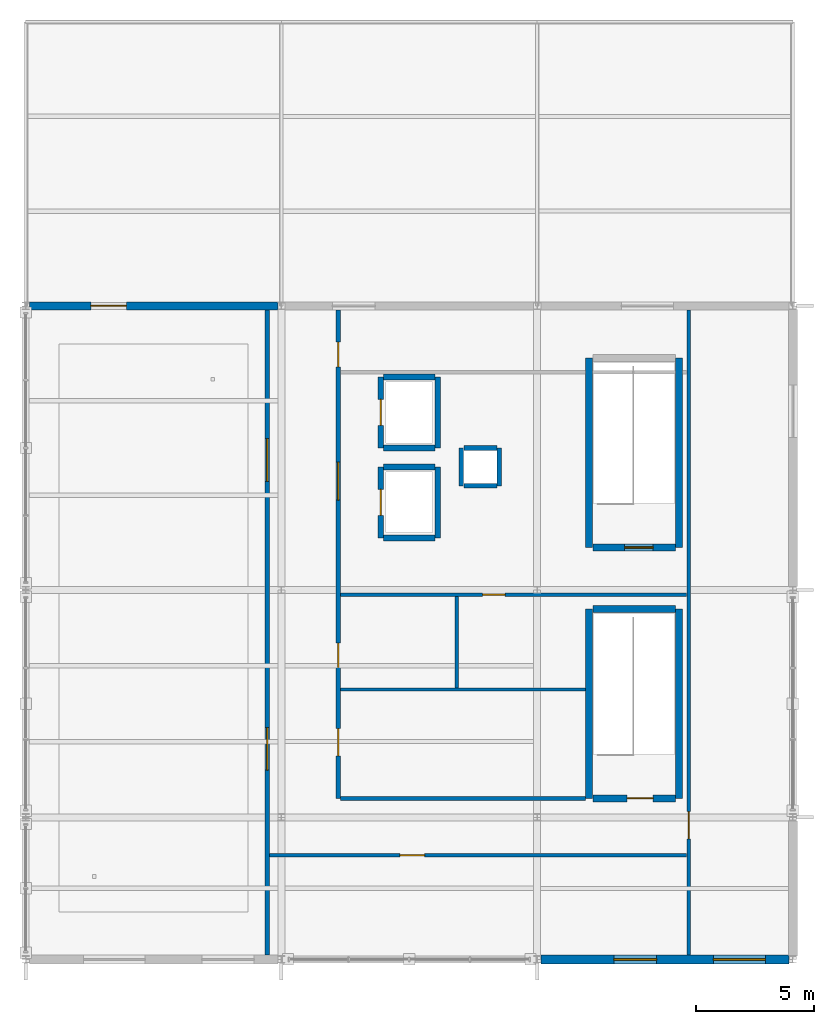
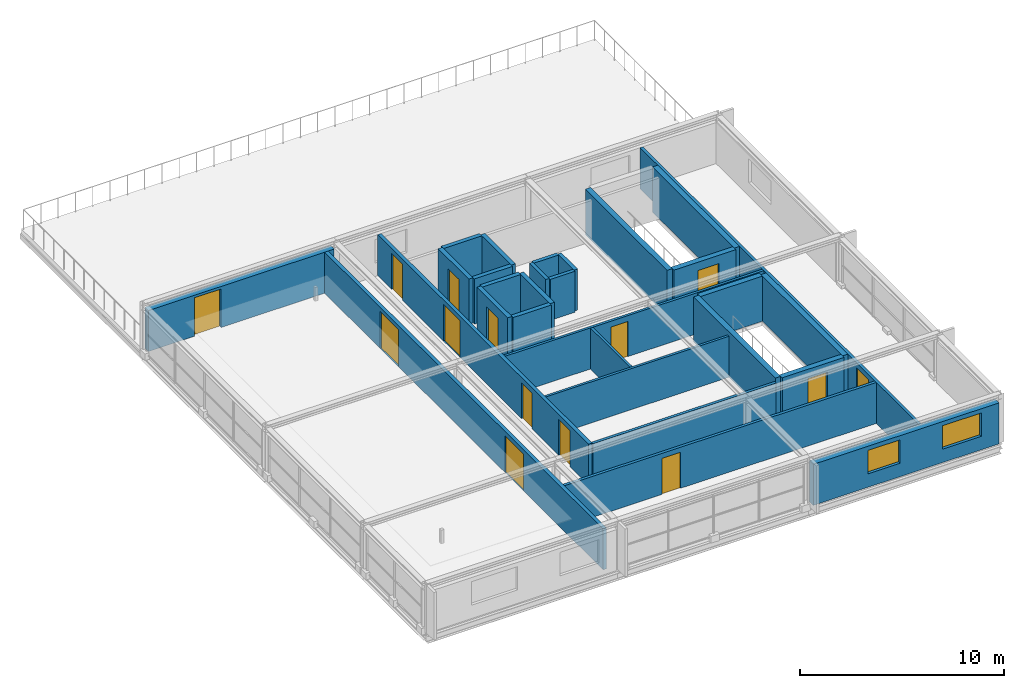
# One storey, part 12 of 14: 29 walls, 14 doors, 2 windows, 16 openings.
"""IFC4 building model written with IfcOpenShell, lengths in metres."""

from ifc_helpers import new_model, si_unit, direction, frame, frame_2d, origin, place, context, subcontext, project, spatial, rectangle, extrude, material, layer, layer_set, type_object, element, fill, save


model = new_model("IFC4")

# Units and contexts
model_context = context("Model", 3, precision=1e-05, world=origin(), true_north=direction((0.0, 1.0)))
body_context = subcontext(model_context, "Body", "Model", "MODEL_VIEW")
ifc_project = project(units=[si_unit("LENGTHUNIT", "METRE"), si_unit("AREAUNIT", "SQUARE_METRE"), si_unit("VOLUMEUNIT", "CUBIC_METRE"), si_unit("PLANEANGLEUNIT", "RADIAN"), si_unit("MASSUNIT", "GRAM", prefix="KILO")], contexts=[model_context])

# Site, building, storey
site_placement = place(None, origin())
site = spatial("IfcSite", under=ifc_project, at=site_placement, CompositionType="ELEMENT")
building_placement = place(site_placement, origin())
building = spatial("IfcBuilding", under=site, at=building_placement, Name="Merenkruunu Market Hall", CompositionType="ELEMENT")
storey_placement = place(building_placement, frame((0.0, 0.0, 18.60009765625)))
storey = spatial("IfcBuildingStorey", under=building, at=storey_placement, Name="L04", CompositionType="ELEMENT", Elevation=18.60009765625)

# Wall, openings, windows
ifc_material_1 = material(Name="Precast concrete C40/50", Category="concrete")
ifc_layer_1 = layer(ifc_material_1, 0.3798828125)
ifc_layer_set_1 = layer_set([ifc_layer_1], Name="Precast concrete C40/50")
wall_type_1 = type_object("IfcWallType", Name="Exterior Envelope Wall EW02", PredefinedType="STANDARD", material=ifc_layer_set_1)
wall_1_placement = place(storey_placement, frame((191.845947265625, 0.0, 0.0), z_axis=(0.0, 0.0, 1.0), x_axis=(-1.0, 0.0, 0.0)))
wall_1 = element("IfcWall", 1, at=wall_1_placement, inside=storey, type_object=wall_type_1, Name="WALL-EXT-L04-0107", PredefinedType="STANDARD", context=body_context, shape_type="SweptSolid", body=[
    extrude(rectangle(XDim=10.491943359375, YDim=0.3798828125, at=frame_2d((5.24609375, 0.0))), origin(), (0.0, 0.0, 1.0), 2.449951171875),
])
opening_1_placement = place(wall_1_placement, frame((1.0, 0.0, 0.800048828125)))
opening_1 = element("IfcOpeningElement", 2, at=opening_1_placement, cuts=wall_1, Name="Opening WN15", PredefinedType="OPENING", context=body_context, shape_type="SweptSolid", body=[
    extrude(rectangle(XDim=2.199951171875, YDim=1.39990234375, at=frame_2d((1.10009765625, 0.699951171875))), frame((0.0, 0.199951171875, 0.0), z_axis=(0.0, -1.0, 0.0), x_axis=(1.0, 0.0, 0.0)), (0.0, 0.0, 1.0), 0.39990234375),
])
opening_2_placement = place(wall_1_placement, frame((5.60009765625, 0.0, 0.800048828125)))
opening_2 = element("IfcOpeningElement", 3, at=opening_2_placement, cuts=wall_1, Name="Opening WN14", PredefinedType="OPENING", context=body_context, shape_type="SweptSolid", body=[
    extrude(rectangle(XDim=1.800048828125, YDim=1.39990234375, at=frame_2d((0.89990234375, 0.699951171875))), frame((0.0, 0.199951171875, 0.0), z_axis=(0.0, -1.0, 0.0), x_axis=(1.0, 0.0, 0.0)), (0.0, 0.0, 1.0), 0.39990234375),
])
ifc_material_2 = material(Name="Triple low-E insulated glass", Category="glass")
ifc_layer_2 = layer(ifc_material_2, 0.06005859375)
ifc_layer_set_2 = layer_set([ifc_layer_2], Name="Triple low-E insulated glass")
window_type_1 = type_object("IfcWindowType", Name="Exterior Window WN14", PartitioningType="SINGLE_PANEL", PredefinedType="WINDOW", material=ifc_layer_set_2)
window_1_placement = place(opening_2_placement, origin())
window_1 = element("IfcWindow", 4, at=window_1_placement, inside=storey, type_object=window_type_1, Name="WIN-L04-0063", OverallHeight=1.39990234375, OverallWidth=1.800048828125, PartitioningType="SINGLE_PANEL", PredefinedType="WINDOW", context=body_context, shape_type="SweptSolid", body=[
    extrude(rectangle(XDim=1.800048828125, YDim=1.39990234375, at=frame_2d((0.89990234375, 0.699951171875))), frame((0.0, 0.030029296875, 0.0), z_axis=(0.0, -1.0, 0.0), x_axis=(1.0, 0.0, 0.0)), (0.0, 0.0, 1.0), 0.06005859375),
])
fill(opening_2, window_1)
ifc_layer_3 = layer(ifc_material_2, 0.06005859375)
ifc_layer_set_3 = layer_set([ifc_layer_3], Name="Triple low-E insulated glass")
window_type_2 = type_object("IfcWindowType", Name="Exterior Window WN15", PartitioningType="SINGLE_PANEL", PredefinedType="WINDOW", material=ifc_layer_set_3)
window_2_placement = place(opening_1_placement, origin())
window_2 = element("IfcWindow", 5, at=window_2_placement, inside=storey, type_object=window_type_2, Name="WIN-L04-0062", OverallHeight=1.39990234375, OverallWidth=2.199951171875, PartitioningType="SINGLE_PANEL", PredefinedType="WINDOW", context=body_context, shape_type="SweptSolid", body=[
    extrude(rectangle(XDim=2.199951171875, YDim=1.39990234375, at=frame_2d((1.10009765625, 0.699951171875))), frame((0.0, 0.030029296875, 0.0), z_axis=(0.0, -1.0, 0.0), x_axis=(1.0, 0.0, 0.0)), (0.0, 0.0, 1.0), 0.06005859375),
])
fill(opening_1, window_2)

# Wall, opening, door
ifc_layer_4 = layer(ifc_material_1, 0.340087890625)
ifc_layer_set_4 = layer_set([ifc_layer_4], Name="Precast concrete C40/50")
wall_type_2 = type_object("IfcWallType", Name="Exterior Envelope Wall EW03", PredefinedType="STANDARD", material=ifc_layer_set_4)
wall_2_placement = place(storey_placement, frame((159.75390625, 27.60009765625, 0.0), z_axis=(0.0, 0.0, 1.0), x_axis=(1.0, 0.0, 0.0)))
wall_2 = element("IfcWall", 6, at=wall_2_placement, inside=storey, type_object=wall_type_2, Name="WALL-EXT-L04-0110", PredefinedType="STANDARD", context=body_context, shape_type="SweptSolid", body=[
    extrude(rectangle(XDim=10.4921875, YDim=0.340087890625, at=frame_2d((5.24609375, 0.0))), origin(), (0.0, 0.0, 1.0), 2.449951171875),
])
opening_3_placement = place(wall_2_placement, frame((2.60009765625, 0.0, 0.0)))
opening_3 = element("IfcOpeningElement", 7, at=opening_3_placement, cuts=wall_2, Name="Opening TD02", PredefinedType="OPENING", context=body_context, shape_type="SweptSolid", body=[
    extrude(rectangle(XDim=1.5, YDim=2.300048828125, at=frame_2d((0.75, 1.14990234375))), frame((0.0, 0.18017578125, 0.0), z_axis=(0.0, -1.0, 0.0), x_axis=(1.0, 0.0, 0.0)), (0.0, 0.0, 1.0), 0.360107421875),
])
ifc_material_3 = material(Name="Powder-coated aluminium", Category="aluminium")
door_type_1 = type_object("IfcDoorType", Name="Terrace Glazed Door TD02", OperationType="NOTDEFINED", PredefinedType="DOOR", material=ifc_material_3)
door_1_placement = place(opening_3_placement, origin())
door_1 = element("IfcDoor", 8, at=door_1_placement, inside=storey, type_object=door_type_1, Name="TD-L04-N1", OperationType="DOUBLE_DOOR_SINGLE_SWING", OverallHeight=2.300048828125, OverallWidth=1.5, PredefinedType="DOOR", context=body_context, shape_type="SweptSolid", body=[
    extrude(rectangle(XDim=1.5, YDim=2.300048828125, at=frame_2d((0.75, 1.14990234375))), frame((0.0, 0.02490234375, 0.0), z_axis=(0.0, -1.0, 0.0), x_axis=(1.0, 0.0, 0.0)), (0.0, 0.0, 1.0), 0.050048828125),
])
fill(opening_3, door_1)

# Wall, openings, doors
ifc_material_4 = material(Name="Gypsum fire compartment board")
ifc_layer_5 = layer(ifc_material_4, 0.199951171875)
ifc_layer_set_5 = layer_set([ifc_layer_5], Name="Gypsum fire compartment board")
wall_type_3 = type_object("IfcWallType", Name="Interior Partition Wall FW02", PredefinedType="PARTITIONING", material=ifc_layer_set_5)
wall_3_placement = place(storey_placement, frame((169.800048828125, 0.19189453125, 0.0), z_axis=(0.0, 0.0, 1.0), x_axis=(0.0, 1.0, 0.0)))
wall_3 = element("IfcWall", 9, at=wall_3_placement, inside=storey, type_object=wall_type_3, Name="WALL-INT-L04-0098", PredefinedType="PARTITIONING", context=body_context, shape_type="SweptSolid", body=[
    extrude(rectangle(XDim=27.236083984375, YDim=0.199951171875, at=frame_2d((13.6181640625, 0.0))), origin(), (0.0, 0.0, 1.0), 2.449951171875),
])
opening_4_placement = place(wall_3_placement, frame((7.800048828125, 0.0, 0.0)))
opening_4 = element("IfcOpeningElement", 10, at=opening_4_placement, cuts=wall_3, Name="Opening FD06", PredefinedType="OPENING", context=body_context, shape_type="SweptSolid", body=[
    extrude(rectangle(XDim=1.800048828125, YDim=2.199951171875, at=frame_2d((0.89990234375, 1.10009765625))), frame((0.0, 0.10986328125, 0.0), z_axis=(0.0, -1.0, 0.0), x_axis=(1.0, 0.0, 0.0)), (0.0, 0.0, 1.0), 0.219970703125),
])
opening_5_placement = place(wall_3_placement, frame((20.0, 0.0, 0.0)))
opening_5 = element("IfcOpeningElement", 11, at=opening_5_placement, cuts=wall_3, Name="Opening FD06", PredefinedType="OPENING", context=body_context, shape_type="SweptSolid", body=[
    extrude(rectangle(XDim=1.800048828125, YDim=2.199951171875, at=frame_2d((0.89990234375, 1.10009765625))), frame((0.0, 0.10986328125, 0.0), z_axis=(0.0, -1.0, 0.0), x_axis=(1.0, 0.0, 0.0)), (0.0, 0.0, 1.0), 0.219970703125),
])
door_type_2 = type_object("IfcDoorType", Name="Fire Compartment Door FD06", OperationType="NOTDEFINED", PredefinedType="DOOR", material=ifc_material_3)
door_2_placement = place(opening_4_placement, origin())
door_2 = element("IfcDoor", 12, at=door_2_placement, inside=storey, type_object=door_type_2, Name="DR-L04-090", OperationType="SINGLE_SWING_RIGHT", OverallHeight=2.199951171875, OverallWidth=1.800048828125, PredefinedType="DOOR", context=body_context, shape_type="SweptSolid", body=[
    extrude(rectangle(XDim=1.800048828125, YDim=2.199951171875, at=frame_2d((0.89990234375, 1.10009765625))), frame((0.0, 0.02490234375, 0.0), z_axis=(0.0, -1.0, 0.0), x_axis=(1.0, 0.0, 0.0)), (0.0, 0.0, 1.0), 0.050048828125),
])
fill(opening_4, door_2)
door_3_placement = place(opening_5_placement, origin())
door_3 = element("IfcDoor", 13, at=door_3_placement, inside=storey, type_object=door_type_2, Name="DR-L04-091", OperationType="SINGLE_SWING_LEFT", OverallHeight=2.199951171875, OverallWidth=1.800048828125, PredefinedType="DOOR", context=body_context, shape_type="SweptSolid", body=[
    extrude(rectangle(XDim=1.800048828125, YDim=2.199951171875, at=frame_2d((0.89990234375, 1.10009765625))), frame((0.0, 0.02490234375, 0.0), z_axis=(0.0, -1.0, 0.0), x_axis=(1.0, 0.0, 0.0)), (0.0, 0.0, 1.0), 0.050048828125),
])
fill(opening_5, door_3)

wall_4_placement = place(storey_placement, frame((172.800048828125, 6.800048828125, 0.0), z_axis=(0.0, 0.0, 1.0), x_axis=(0.0, 1.0, 0.0)))
wall_4 = element("IfcWall", 14, at=wall_4_placement, inside=storey, type_object=wall_type_3, Name="WALL-INT-L04-0101", PredefinedType="PARTITIONING", context=body_context, shape_type="SweptSolid", body=[
    extrude(rectangle(XDim=20.6279296875, YDim=0.199951171875, at=frame_2d((10.31396484375, 0.0))), origin(), (0.0, 0.0, 1.0), 2.449951171875),
])
opening_6_placement = place(wall_4_placement, frame((1.800048828125, 0.0, 0.0)))
opening_6 = element("IfcOpeningElement", 15, at=opening_6_placement, cuts=wall_4, Name="Opening D04", PredefinedType="OPENING", context=body_context, shape_type="SweptSolid", body=[
    extrude(rectangle(XDim=1.14990234375, YDim=2.14990234375, at=frame_2d((0.574951171875, 1.074951171875))), frame((0.0, 0.10986328125, 0.0), z_axis=(0.0, -1.0, 0.0), x_axis=(1.0, 0.0, 0.0)), (0.0, 0.0, 1.0), 0.219970703125),
])
opening_7_placement = place(wall_4_placement, frame((5.532958984375, 0.0, 0.0)))
opening_7 = element("IfcOpeningElement", 16, at=opening_7_placement, cuts=wall_4, Name="Opening D08", PredefinedType="OPENING", context=body_context, shape_type="SweptSolid", body=[
    extrude(rectangle(XDim=1.02001953125, YDim=2.1201171875, at=frame_2d((0.510009765625, 1.06005859375))), frame((0.0, 0.10986328125, 0.0), z_axis=(0.0, -1.0, 0.0), x_axis=(1.0, 0.0, 0.0)), (0.0, 0.0, 1.0), 0.219970703125),
])
opening_8_placement = place(wall_4_placement, frame((12.60009765625, 0.0, 0.0)))
opening_8 = element("IfcOpeningElement", 17, at=opening_8_placement, cuts=wall_4, Name="Opening FD05", PredefinedType="OPENING", context=body_context, shape_type="SweptSolid", body=[
    extrude(rectangle(XDim=1.60009765625, YDim=2.199951171875, at=frame_2d((0.800048828125, 1.10009765625))), frame((0.0, 0.10986328125, 0.0), z_axis=(0.0, -1.0, 0.0), x_axis=(1.0, 0.0, 0.0)), (0.0, 0.0, 1.0), 0.219970703125),
])
opening_9_placement = place(wall_4_placement, frame((18.222900390625, 0.0, 0.0)))
opening_9 = element("IfcOpeningElement", 18, at=opening_9_placement, cuts=wall_4, Name="Opening D03", PredefinedType="OPENING", context=body_context, shape_type="SweptSolid", body=[
    extrude(rectangle(XDim=1.050048828125, YDim=2.14990234375, at=frame_2d((0.52490234375, 1.074951171875))), frame((0.0, 0.10986328125, 0.0), z_axis=(0.0, -1.0, 0.0), x_axis=(1.0, 0.0, 0.0)), (0.0, 0.0, 1.0), 0.219970703125),
])
ifc_material_5 = material(Name="Lacquered Nordic birch")
door_type_3 = type_object("IfcDoorType", Name="Accessible Sanitary Door D08", OperationType="NOTDEFINED", PredefinedType="DOOR", material=ifc_material_5)
door_4_placement = place(opening_7_placement, origin())
door_4 = element("IfcDoor", 19, at=door_4_placement, inside=storey, type_object=door_type_3, Name="DR-L04-095", OperationType="SINGLE_SWING_LEFT", OverallHeight=2.1201171875, OverallWidth=1.02001953125, PredefinedType="DOOR", context=body_context, shape_type="SweptSolid", body=[
    extrude(rectangle(XDim=1.02001953125, YDim=2.1201171875, at=frame_2d((0.510009765625, 1.06005859375))), frame((0.0, 0.02490234375, 0.0), z_axis=(0.0, -1.0, 0.0), x_axis=(1.0, 0.0, 0.0)), (0.0, 0.0, 1.0), 0.050048828125),
])
fill(opening_7, door_4)
door_type_4 = type_object("IfcDoorType", Name="Fire Compartment Door FD05", OperationType="NOTDEFINED", PredefinedType="DOOR", material=ifc_material_3)
door_5_placement = place(opening_8_placement, origin())
door_5 = element("IfcDoor", 20, at=door_5_placement, inside=storey, type_object=door_type_4, Name="DR-L04-096", OperationType="SINGLE_SWING_RIGHT", OverallHeight=2.199951171875, OverallWidth=1.60009765625, PredefinedType="DOOR", context=body_context, shape_type="SweptSolid", body=[
    extrude(rectangle(XDim=1.60009765625, YDim=2.199951171875, at=frame_2d((0.800048828125, 1.10009765625))), frame((0.0, 0.02490234375, 0.0), z_axis=(0.0, -1.0, 0.0), x_axis=(1.0, 0.0, 0.0)), (0.0, 0.0, 1.0), 0.050048828125),
])
fill(opening_8, door_5)
door_type_5 = type_object("IfcDoorType", Name="Pedestrian Room Door D03", OperationType="NOTDEFINED", PredefinedType="DOOR", material=ifc_material_5)
door_6_placement = place(opening_9_placement, origin())
door_6 = element("IfcDoor", 21, at=door_6_placement, inside=storey, type_object=door_type_5, Name="DR-L04-097", OperationType="SINGLE_SWING_LEFT", OverallHeight=2.14990234375, OverallWidth=1.050048828125, PredefinedType="DOOR", context=body_context, shape_type="SweptSolid", body=[
    extrude(rectangle(XDim=1.050048828125, YDim=2.14990234375, at=frame_2d((0.52490234375, 1.074951171875))), frame((0.0, 0.02490234375, 0.0), z_axis=(0.0, -1.0, 0.0), x_axis=(1.0, 0.0, 0.0)), (0.0, 0.0, 1.0), 0.050048828125),
])
fill(opening_9, door_6)
door_type_6 = type_object("IfcDoorType", Name="Pedestrian Room Door D04", OperationType="NOTDEFINED", PredefinedType="DOOR", material=ifc_material_5)
door_7_placement = place(opening_6_placement, origin())
door_7 = element("IfcDoor", 22, at=door_7_placement, inside=storey, type_object=door_type_6, Name="DR-L04-094", OperationType="SINGLE_SWING_RIGHT", OverallHeight=2.14990234375, OverallWidth=1.14990234375, PredefinedType="DOOR", context=body_context, shape_type="SweptSolid", body=[
    extrude(rectangle(XDim=1.14990234375, YDim=2.14990234375, at=frame_2d((0.574951171875, 1.074951171875))), frame((0.0, 0.02490234375, 0.0), z_axis=(0.0, -1.0, 0.0), x_axis=(1.0, 0.0, 0.0)), (0.0, 0.0, 1.0), 0.050048828125),
])
fill(opening_6, door_7)

# Walls
wall_5_placement = place(storey_placement, frame((178.10205078125, 20.0, 0.0), z_axis=(0.0, 0.0, 1.0), x_axis=(1.0, 0.0, 0.0)))
element("IfcWall", 23, at=wall_5_placement, inside=storey, type_object=wall_type_3, Name="WALL-INT-L04-0143", PredefinedType="PARTITIONING", context=body_context, shape_type="SweptSolid", body=[
    extrude(rectangle(XDim=1.39599609375, YDim=0.199951171875, at=frame_2d((0.697998046875, 0.0))), origin(), (0.0, 0.0, 1.0), 2.449951171875),
])
wall_6_placement = place(storey_placement, frame((179.60009765625, 20.0, 0.0), z_axis=(0.0, 0.0, 1.0), x_axis=(0.0, 1.0, 0.0)))
element("IfcWall", 24, at=wall_6_placement, inside=storey, type_object=wall_type_3, Name="WALL-INT-L04-0144", PredefinedType="PARTITIONING", context=body_context, shape_type="SweptSolid", body=[
    extrude(rectangle(XDim=1.60009765625, YDim=0.199951171875, at=frame_2d((0.800048828125, 0.0))), origin(), (0.0, 0.0, 1.0), 2.449951171875),
])
wall_7_placement = place(storey_placement, frame((179.498046875, 21.60009765625, 0.0), z_axis=(0.0, 0.0, 1.0), x_axis=(-1.0, 0.0, 0.0)))
element("IfcWall", 25, at=wall_7_placement, inside=storey, type_object=wall_type_3, Name="WALL-INT-L04-0145", PredefinedType="PARTITIONING", context=body_context, shape_type="SweptSolid", body=[
    extrude(rectangle(XDim=1.39599609375, YDim=0.199951171875, at=frame_2d((0.697998046875, 0.0))), origin(), (0.0, 0.0, 1.0), 2.449951171875),
])
wall_8_placement = place(storey_placement, frame((178.0, 21.60009765625, 0.0), z_axis=(0.0, 0.0, 1.0), x_axis=(0.0, -1.0, 0.0)))
element("IfcWall", 26, at=wall_8_placement, inside=storey, type_object=wall_type_3, Name="WALL-INT-L04-0146", PredefinedType="PARTITIONING", context=body_context, shape_type="SweptSolid", body=[
    extrude(rectangle(XDim=1.60009765625, YDim=0.199951171875, at=frame_2d((0.800048828125, 0.0))), origin(), (0.0, 0.0, 1.0), 2.449951171875),
])

# Wall, opening, door
ifc_material_6 = material(Name="Gypsum acoustic partition board")
ifc_layer_6 = layer(ifc_material_6, 0.159912109375)
ifc_layer_set_6 = layer_set([ifc_layer_6], Name="Gypsum acoustic partition board")
wall_type_4 = type_object("IfcWallType", Name="Interior Partition Wall PW01", PredefinedType="PARTITIONING", material=ifc_layer_set_6)
wall_9_placement = place(storey_placement, frame((187.60009765625, 0.19189453125, 0.0), z_axis=(0.0, 0.0, 1.0), x_axis=(0.0, 1.0, 0.0)))
wall_9 = element("IfcWall", 27, at=wall_9_placement, inside=storey, type_object=wall_type_4, Name="WALL-INT-L04-0099", PredefinedType="PARTITIONING", context=body_context, shape_type="SweptSolid", body=[
    extrude(rectangle(XDim=27.236083984375, YDim=0.159912109375, at=frame_2d((13.6181640625, 0.0))), origin(), (0.0, 0.0, 1.0), 2.449951171875),
])
opening_10_placement = place(wall_9_placement, frame((4.89990234375, 0.0, 0.0)))
opening_10 = element("IfcOpeningElement", 28, at=opening_10_placement, cuts=wall_9, Name="Opening D04", PredefinedType="OPENING", context=body_context, shape_type="SweptSolid", body=[
    extrude(rectangle(XDim=1.14990234375, YDim=2.14990234375, at=frame_2d((0.574951171875, 1.074951171875))), frame((0.0, 0.08984375, 0.0), z_axis=(0.0, -1.0, 0.0), x_axis=(1.0, 0.0, 0.0)), (0.0, 0.0, 1.0), 0.179931640625),
])
door_8_placement = place(opening_10_placement, origin())
door_8 = element("IfcDoor", 29, at=door_8_placement, inside=storey, type_object=door_type_6, Name="DR-L04-092", OperationType="SINGLE_SWING_RIGHT", OverallHeight=2.14990234375, OverallWidth=1.14990234375, PredefinedType="DOOR", context=body_context, shape_type="SweptSolid", body=[
    extrude(rectangle(XDim=1.14990234375, YDim=2.14990234375, at=frame_2d((0.574951171875, 1.074951171875))), frame((0.0, 0.02490234375, 0.0), z_axis=(0.0, -1.0, 0.0), x_axis=(1.0, 0.0, 0.0)), (0.0, 0.0, 1.0), 0.050048828125),
])
fill(opening_10, door_8)

wall_10_placement = place(storey_placement, frame((169.902099609375, 4.39990234375, 0.0), z_axis=(0.0, 0.0, 1.0), x_axis=(1.0, 0.0, 0.0)))
wall_10 = element("IfcWall", 30, at=wall_10_placement, inside=storey, type_object=wall_type_4, Name="WALL-INT-L04-0100", PredefinedType="PARTITIONING", context=body_context, shape_type="SweptSolid", body=[
    extrude(rectangle(XDim=17.615966796875, YDim=0.159912109375, at=frame_2d((8.80810546875, 0.0))), origin(), (0.0, 0.0, 1.0), 2.449951171875),
])
opening_11_placement = place(wall_10_placement, frame((5.5, 0.0, 0.0)))
opening_11 = element("IfcOpeningElement", 31, at=opening_11_placement, cuts=wall_10, Name="Opening D03", PredefinedType="OPENING", context=body_context, shape_type="SweptSolid", body=[
    extrude(rectangle(XDim=1.050048828125, YDim=2.14990234375, at=frame_2d((0.52490234375, 1.074951171875))), frame((0.0, 0.08984375, 0.0), z_axis=(0.0, -1.0, 0.0), x_axis=(1.0, 0.0, 0.0)), (0.0, 0.0, 1.0), 0.179931640625),
])
door_9_placement = place(opening_11_placement, origin())
door_9 = element("IfcDoor", 32, at=door_9_placement, inside=storey, type_object=door_type_5, Name="DR-L04-093", OperationType="SINGLE_SWING_LEFT", OverallHeight=2.14990234375, OverallWidth=1.050048828125, PredefinedType="DOOR", context=body_context, shape_type="SweptSolid", body=[
    extrude(rectangle(XDim=1.050048828125, YDim=2.14990234375, at=frame_2d((0.52490234375, 1.074951171875))), frame((0.0, 0.02490234375, 0.0), z_axis=(0.0, -1.0, 0.0), x_axis=(1.0, 0.0, 0.0)), (0.0, 0.0, 1.0), 0.050048828125),
])
fill(opening_11, door_9)

# Walls
wall_11_placement = place(storey_placement, frame((172.902099609375, 6.800048828125, 0.0), z_axis=(0.0, 0.0, 1.0), x_axis=(1.0, 0.0, 0.0)))
element("IfcWall", 33, at=wall_11_placement, inside=storey, type_object=wall_type_4, Name="WALL-INT-L04-0102", PredefinedType="PARTITIONING", context=body_context, shape_type="SweptSolid", body=[
    extrude(rectangle(XDim=10.345947265625, YDim=0.159912109375, at=frame_2d((5.1728515625, 0.0))), origin(), (0.0, 0.0, 1.0), 2.449951171875),
])
ifc_material_7 = material(Name="Ceramic hygienic wet-room board")
ifc_layer_7 = layer(ifc_material_7, 0.139892578125)
ifc_layer_set_7 = layer_set([ifc_layer_7], Name="Ceramic hygienic wet-room board")
wall_type_5 = type_object("IfcWallType", Name="Interior Partition Wall PW02", PredefinedType="PARTITIONING", material=ifc_layer_set_7)
wall_12_placement = place(storey_placement, frame((172.902099609375, 11.39990234375, 0.0), z_axis=(0.0, 0.0, 1.0), x_axis=(1.0, 0.0, 0.0)))
element("IfcWall", 34, at=wall_12_placement, inside=storey, type_object=wall_type_5, Name="WALL-INT-L04-0103", PredefinedType="PARTITIONING", context=body_context, shape_type="SweptSolid", body=[
    extrude(rectangle(XDim=10.345947265625, YDim=0.139892578125, at=frame_2d((5.1728515625, 0.0))), origin(), (0.0, 0.0, 1.0), 2.449951171875),
])

# Wall, opening, door
wall_13_placement = place(storey_placement, frame((172.902099609375, 15.39990234375, 0.0), z_axis=(0.0, 0.0, 1.0), x_axis=(1.0, 0.0, 0.0)))
wall_13 = element("IfcWall", 35, at=wall_13_placement, inside=storey, type_object=wall_type_5, Name="WALL-INT-L04-0104", PredefinedType="PARTITIONING", context=body_context, shape_type="SweptSolid", body=[
    extrude(rectangle(XDim=14.615966796875, YDim=0.139892578125, at=frame_2d((7.30810546875, 0.0))), origin(), (0.0, 0.0, 1.0), 2.449951171875),
])
opening_12_placement = place(wall_13_placement, frame((6.0, 0.0, 0.0)))
opening_12 = element("IfcOpeningElement", 36, at=opening_12_placement, cuts=wall_13, Name="Opening D01", PredefinedType="OPENING", context=body_context, shape_type="SweptSolid", body=[
    extrude(rectangle(XDim=0.949951171875, YDim=2.10009765625, at=frame_2d((0.47509765625, 1.050048828125))), frame((0.0, 0.080078125, 0.0), z_axis=(0.0, -1.0, 0.0), x_axis=(1.0, 0.0, 0.0)), (0.0, 0.0, 1.0), 0.159912109375),
])
door_type_7 = type_object("IfcDoorType", Name="Pedestrian Room Door D01", OperationType="NOTDEFINED", PredefinedType="DOOR", material=ifc_material_5)
door_10_placement = place(opening_12_placement, origin())
door_10 = element("IfcDoor", 37, at=door_10_placement, inside=storey, type_object=door_type_7, Name="DR-L04-098", OperationType="SINGLE_SWING_RIGHT", OverallHeight=2.10009765625, OverallWidth=0.949951171875, PredefinedType="DOOR", context=body_context, shape_type="SweptSolid", body=[
    extrude(rectangle(XDim=0.949951171875, YDim=2.10009765625, at=frame_2d((0.47509765625, 1.050048828125))), frame((0.0, 0.02490234375, 0.0), z_axis=(0.0, -1.0, 0.0), x_axis=(1.0, 0.0, 0.0)), (0.0, 0.0, 1.0), 0.050048828125),
])
fill(opening_12, door_10)

# Wall
wall_14_placement = place(storey_placement, frame((177.800048828125, 11.471923828125, 0.0), z_axis=(0.0, 0.0, 1.0), x_axis=(0.0, 1.0, 0.0)))
element("IfcWall", 38, at=wall_14_placement, inside=storey, type_object=wall_type_5, Name="WALL-INT-L04-0105", PredefinedType="PARTITIONING", context=body_context, shape_type="SweptSolid", body=[
    extrude(rectangle(XDim=3.85595703125, YDim=0.139892578125, at=frame_2d((1.927978515625, 0.0))), origin(), (0.0, 0.0, 1.0), 2.449951171875),
])

# Wall, opening, door
ifc_material_8 = material(Name="Concrete C35/45", Category="concrete")
ifc_layer_8 = layer(ifc_material_8, 0.300048828125)
ifc_layer_set_8 = layer_set([ifc_layer_8], Name="Concrete C35/45")
wall_type_6 = type_object("IfcWallType", Name="Structural Shear Wall SW02", PredefinedType="SHEAR", material=ifc_layer_set_8)
wall_15_placement = place(storey_placement, frame((187.050048828125, 6.800048828125, 0.0), z_axis=(0.0, 0.0, 1.0), x_axis=(-1.0, 0.0, 0.0)))
wall_15 = element("IfcWall", 39, at=wall_15_placement, inside=storey, type_object=wall_type_6, Name="WALL-CORE-K5-L04-S", PredefinedType="SHEAR", context=body_context, shape_type="SweptSolid", body=[
    extrude(rectangle(XDim=3.5, YDim=0.300048828125, at=frame_2d((1.75, 0.0))), origin(), (0.0, 0.0, 1.0), 2.699951171875),
])
opening_13_placement = place(wall_15_placement, frame((0.949951171875, 0.0, 0.0)))
opening_13 = element("IfcOpeningElement", 40, at=opening_13_placement, cuts=wall_15, Name="Opening FD02", PredefinedType="OPENING", context=body_context, shape_type="SweptSolid", body=[
    extrude(rectangle(XDim=1.10009765625, YDim=2.14990234375, at=frame_2d((0.550048828125, 1.074951171875))), frame((0.0, 0.16015625, 0.0), z_axis=(0.0, -1.0, 0.0), x_axis=(1.0, 0.0, 0.0)), (0.0, 0.0, 1.0), 0.320068359375),
])
door_type_8 = type_object("IfcDoorType", Name="Fire Compartment Door FD02", OperationType="NOTDEFINED", PredefinedType="DOOR", material=ifc_material_3)
door_11_placement = place(opening_13_placement, origin())
door_11 = element("IfcDoor", 41, at=door_11_placement, inside=storey, type_object=door_type_8, Name="DR-L04-115", OperationType="SINGLE_SWING_LEFT", OverallHeight=2.14990234375, OverallWidth=1.10009765625, PredefinedType="DOOR", context=body_context, shape_type="SweptSolid", body=[
    extrude(rectangle(XDim=1.10009765625, YDim=2.14990234375, at=frame_2d((0.550048828125, 1.074951171875))), frame((0.0, 0.02490234375, 0.0), z_axis=(0.0, -1.0, 0.0), x_axis=(1.0, 0.0, 0.0)), (0.0, 0.0, 1.0), 0.050048828125),
])
fill(opening_13, door_11)

# Walls
wall_16_placement = place(storey_placement, frame((187.199951171875, 6.800048828125, 0.0), z_axis=(0.0, 0.0, 1.0), x_axis=(0.0, 1.0, 0.0)))
element("IfcWall", 42, at=wall_16_placement, inside=storey, type_object=wall_type_6, Name="WALL-CORE-K5-L04-E", PredefinedType="SHEAR", context=body_context, shape_type="SweptSolid", body=[
    extrude(rectangle(XDim=8.0, YDim=0.300048828125, at=frame_2d((4.0, 0.0))), origin(), (0.0, 0.0, 1.0), 2.699951171875),
])
wall_17_placement = place(storey_placement, frame((187.050048828125, 14.800048828125, 0.0), z_axis=(0.0, 0.0, 1.0), x_axis=(-1.0, 0.0, 0.0)))
element("IfcWall", 43, at=wall_17_placement, inside=storey, type_object=wall_type_6, Name="WALL-CORE-K5-L04-N", PredefinedType="SHEAR", context=body_context, shape_type="SweptSolid", body=[
    extrude(rectangle(XDim=3.5, YDim=0.300048828125, at=frame_2d((1.75, 0.0))), origin(), (0.0, 0.0, 1.0), 2.699951171875),
])
wall_18_placement = place(storey_placement, frame((183.39990234375, 14.800048828125, 0.0), z_axis=(0.0, 0.0, 1.0), x_axis=(0.0, -1.0, 0.0)))
element("IfcWall", 44, at=wall_18_placement, inside=storey, type_object=wall_type_6, Name="WALL-CORE-K5-L04-W", PredefinedType="SHEAR", context=body_context, shape_type="SweptSolid", body=[
    extrude(rectangle(XDim=8.0, YDim=0.300048828125, at=frame_2d((4.0, 0.0))), origin(), (0.0, 0.0, 1.0), 2.699951171875),
])

# Wall, opening, door
wall_19_placement = place(storey_placement, frame((187.050048828125, 17.39990234375, 0.0), z_axis=(0.0, 0.0, 1.0), x_axis=(-1.0, 0.0, 0.0)))
wall_19 = element("IfcWall", 45, at=wall_19_placement, inside=storey, type_object=wall_type_6, Name="WALL-CORE-K6-L04-S", PredefinedType="SHEAR", context=body_context, shape_type="SweptSolid", body=[
    extrude(rectangle(XDim=3.5, YDim=0.300048828125, at=frame_2d((1.75, 0.0))), origin(), (0.0, 0.0, 1.0), 2.699951171875),
])
opening_14_placement = place(wall_19_placement, frame((0.949951171875, 0.0, 0.0)))
opening_14 = element("IfcOpeningElement", 46, at=opening_14_placement, cuts=wall_19, Name="Opening FD03", PredefinedType="OPENING", context=body_context, shape_type="SweptSolid", body=[
    extrude(rectangle(XDim=1.199951171875, YDim=2.199951171875, at=frame_2d((0.60009765625, 1.10009765625))), frame((0.0, 0.16015625, 0.0), z_axis=(0.0, -1.0, 0.0), x_axis=(1.0, 0.0, 0.0)), (0.0, 0.0, 1.0), 0.320068359375),
])
door_type_9 = type_object("IfcDoorType", Name="Fire Compartment Door FD03", OperationType="NOTDEFINED", PredefinedType="DOOR", material=ifc_material_3)
door_12_placement = place(opening_14_placement, origin())
door_12 = element("IfcDoor", 47, at=door_12_placement, inside=storey, type_object=door_type_9, Name="DR-L04-120", OperationType="SINGLE_SWING_RIGHT", OverallHeight=2.199951171875, OverallWidth=1.199951171875, PredefinedType="DOOR", context=body_context, shape_type="SweptSolid", body=[
    extrude(rectangle(XDim=1.199951171875, YDim=2.199951171875, at=frame_2d((0.60009765625, 1.10009765625))), frame((0.0, 0.02490234375, 0.0), z_axis=(0.0, -1.0, 0.0), x_axis=(1.0, 0.0, 0.0)), (0.0, 0.0, 1.0), 0.050048828125),
])
fill(opening_14, door_12)

# Walls
for number, where, z_axis, x_axis, name in (
    (48, (187.199951171875, 17.39990234375, 0.0), (0.0, 0.0, 1.0), (0.0, 1.0, 0.0), "WALL-CORE-K6-L04-E"),
    (49, (183.39990234375, 25.39990234375, 0.0), (0.0, 0.0, 1.0), (0.0, -1.0, 0.0), "WALL-CORE-K6-L04-W"),
):
    element("IfcWall", number, at=place(storey_placement, frame(where, z_axis=z_axis, x_axis=x_axis)), inside=storey, type_object=wall_type_6, Name=name, PredefinedType="SHEAR", context=body_context, shape_type="SweptSolid", body=[
        extrude(rectangle(XDim=8.0, YDim=0.300048828125, at=frame_2d((4.0, 0.0))), origin(), (0.0, 0.0, 1.0), 2.699951171875),
    ])
ifc_layer_9 = layer(ifc_material_8, 0.239990234375)
ifc_layer_set_9 = layer_set([ifc_layer_9], Name="Concrete C35/45")
wall_type_7 = type_object("IfcWallType", Name="Structural Shear Wall SW04", PredefinedType="SHEAR", material=ifc_layer_set_9)
wall_20_placement = place(storey_placement, frame((174.719970703125, 17.800048828125, 0.0), z_axis=(0.0, 0.0, 1.0), x_axis=(1.0, 0.0, 0.0)))
element("IfcWall", 50, at=wall_20_placement, inside=storey, type_object=wall_type_7, Name="WALL-LIFT-LP4-L04-S", PredefinedType="SHEAR", context=body_context, shape_type="SweptSolid", body=[
    extrude(rectangle(XDim=2.159912109375, YDim=0.239990234375, at=frame_2d((1.080078125, 0.0))), origin(), (0.0, 0.0, 1.0), 2.699951171875),
])
wall_21_placement = place(storey_placement, frame((177.0, 17.800048828125, 0.0), z_axis=(0.0, 0.0, 1.0), x_axis=(0.0, 1.0, 0.0)))
element("IfcWall", 51, at=wall_21_placement, inside=storey, type_object=wall_type_7, Name="WALL-LIFT-LP4-L04-E", PredefinedType="SHEAR", context=body_context, shape_type="SweptSolid", body=[
    extrude(rectangle(XDim=3.0, YDim=0.239990234375, at=frame_2d((1.5, 0.0))), origin(), (0.0, 0.0, 1.0), 2.699951171875),
])
wall_22_placement = place(storey_placement, frame((176.8798828125, 20.800048828125, 0.0), z_axis=(0.0, 0.0, 1.0), x_axis=(-1.0, 0.0, 0.0)))
element("IfcWall", 52, at=wall_22_placement, inside=storey, type_object=wall_type_7, Name="WALL-LIFT-LP4-L04-N", PredefinedType="SHEAR", context=body_context, shape_type="SweptSolid", body=[
    extrude(rectangle(XDim=2.159912109375, YDim=0.239990234375, at=frame_2d((1.080078125, 0.0))), origin(), (0.0, 0.0, 1.0), 2.699951171875),
])

# Wall, opening, door
wall_23_placement = place(storey_placement, frame((174.60009765625, 20.800048828125, 0.0), z_axis=(0.0, 0.0, 1.0), x_axis=(0.0, -1.0, 0.0)))
wall_23 = element("IfcWall", 53, at=wall_23_placement, inside=storey, type_object=wall_type_7, Name="WALL-LIFT-LP4-L04-W", PredefinedType="SHEAR", context=body_context, shape_type="SweptSolid", body=[
    extrude(rectangle(XDim=3.0, YDim=0.239990234375, at=frame_2d((1.5, 0.0))), origin(), (0.0, 0.0, 1.0), 2.699951171875),
])
opening_15_placement = place(wall_23_placement, frame((0.949951171875, 0.0, 0.0)))
opening_15 = element("IfcOpeningElement", 54, at=opening_15_placement, cuts=wall_23, Name="Opening LD01", PredefinedType="OPENING", context=body_context, shape_type="SweptSolid", body=[
    extrude(rectangle(XDim=1.10009765625, YDim=2.10009765625, at=frame_2d((0.550048828125, 1.050048828125))), frame((0.0, 0.1298828125, 0.0), z_axis=(0.0, -1.0, 0.0), x_axis=(1.0, 0.0, 0.0)), (0.0, 0.0, 1.0), 0.260009765625),
])
ifc_material_9 = material(Name="Brushed stainless steel", Category="steel")
door_type_10 = type_object("IfcDoorType", Name="Lift Landing Sliding Door LD01", OperationType="NOTDEFINED", PredefinedType="DOOR", material=ifc_material_9)
door_13_placement = place(opening_15_placement, origin())
door_13 = element("IfcDoor", 55, at=door_13_placement, inside=storey, type_object=door_type_10, Name="Lift landing door LP4 L04", OperationType="SLIDING_TO_LEFT", OverallHeight=2.10009765625, OverallWidth=1.10009765625, PredefinedType="DOOR", context=body_context, shape_type="SweptSolid", body=[
    extrude(rectangle(XDim=1.10009765625, YDim=2.10009765625, at=frame_2d((0.550048828125, 1.050048828125))), frame((0.0, 0.02490234375, 0.0), z_axis=(0.0, -1.0, 0.0), x_axis=(1.0, 0.0, 0.0)), (0.0, 0.0, 1.0), 0.050048828125),
])
fill(opening_15, door_13)

# Walls
wall_24_placement = place(storey_placement, frame((174.719970703125, 21.60009765625, 0.0), z_axis=(0.0, 0.0, 1.0), x_axis=(1.0, 0.0, 0.0)))
element("IfcWall", 56, at=wall_24_placement, inside=storey, type_object=wall_type_7, Name="WALL-LIFT-LP5-L04-S", PredefinedType="SHEAR", context=body_context, shape_type="SweptSolid", body=[
    extrude(rectangle(XDim=2.159912109375, YDim=0.239990234375, at=frame_2d((1.080078125, 0.0))), origin(), (0.0, 0.0, 1.0), 2.699951171875),
])
wall_25_placement = place(storey_placement, frame((177.0, 21.60009765625, 0.0), z_axis=(0.0, 0.0, 1.0), x_axis=(0.0, 1.0, 0.0)))
element("IfcWall", 57, at=wall_25_placement, inside=storey, type_object=wall_type_7, Name="WALL-LIFT-LP5-L04-E", PredefinedType="SHEAR", context=body_context, shape_type="SweptSolid", body=[
    extrude(rectangle(XDim=3.0, YDim=0.239990234375, at=frame_2d((1.5, 0.0))), origin(), (0.0, 0.0, 1.0), 2.699951171875),
])
wall_26_placement = place(storey_placement, frame((176.8798828125, 24.60009765625, 0.0), z_axis=(0.0, 0.0, 1.0), x_axis=(-1.0, 0.0, 0.0)))
element("IfcWall", 58, at=wall_26_placement, inside=storey, type_object=wall_type_7, Name="WALL-LIFT-LP5-L04-N", PredefinedType="SHEAR", context=body_context, shape_type="SweptSolid", body=[
    extrude(rectangle(XDim=2.159912109375, YDim=0.239990234375, at=frame_2d((1.080078125, 0.0))), origin(), (0.0, 0.0, 1.0), 2.699951171875),
])

# Wall, opening, door
wall_27_placement = place(storey_placement, frame((174.60009765625, 24.60009765625, 0.0), z_axis=(0.0, 0.0, 1.0), x_axis=(0.0, -1.0, 0.0)))
wall_27 = element("IfcWall", 59, at=wall_27_placement, inside=storey, type_object=wall_type_7, Name="WALL-LIFT-LP5-L04-W", PredefinedType="SHEAR", context=body_context, shape_type="SweptSolid", body=[
    extrude(rectangle(XDim=3.0, YDim=0.239990234375, at=frame_2d((1.5, 0.0))), origin(), (0.0, 0.0, 1.0), 2.699951171875),
])
opening_16_placement = place(wall_27_placement, frame((0.949951171875, 0.0, 0.0)))
opening_16 = element("IfcOpeningElement", 60, at=opening_16_placement, cuts=wall_27, Name="Opening LD01", PredefinedType="OPENING", context=body_context, shape_type="SweptSolid", body=[
    extrude(rectangle(XDim=1.10009765625, YDim=2.10009765625, at=frame_2d((0.550048828125, 1.050048828125))), frame((0.0, 0.1298828125, 0.0), z_axis=(0.0, -1.0, 0.0), x_axis=(1.0, 0.0, 0.0)), (0.0, 0.0, 1.0), 0.260009765625),
])
door_14_placement = place(opening_16_placement, origin())
door_14 = element("IfcDoor", 61, at=door_14_placement, inside=storey, type_object=door_type_10, Name="Lift landing door LP5 L04", OperationType="SLIDING_TO_LEFT", OverallHeight=2.10009765625, OverallWidth=1.10009765625, PredefinedType="DOOR", context=body_context, shape_type="SweptSolid", body=[
    extrude(rectangle(XDim=1.10009765625, YDim=2.10009765625, at=frame_2d((0.550048828125, 1.050048828125))), frame((0.0, 0.02490234375, 0.0), z_axis=(0.0, -1.0, 0.0), x_axis=(1.0, 0.0, 0.0)), (0.0, 0.0, 1.0), 0.050048828125),
])
fill(opening_16, door_14)

save(model, "model.ifc")
